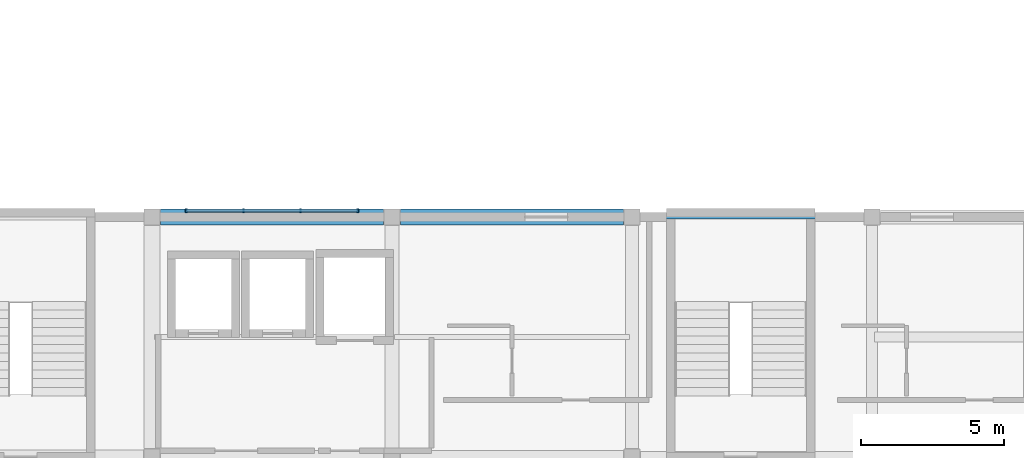
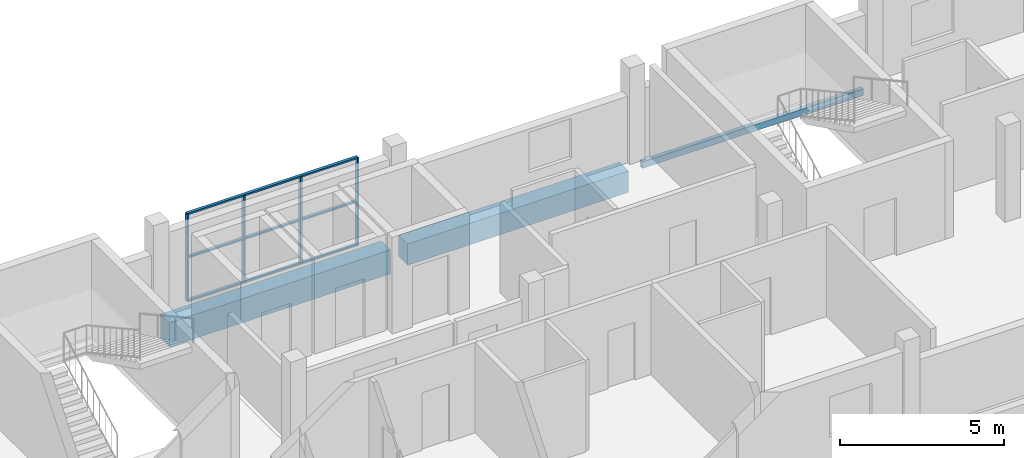
# One storey, part 4 of 26: 7 members, 3 beams, 1 element without a shape of its own.
"""IFC4 building model written with IfcOpenShell, lengths in metres."""

import ifcopenshell
import ifcopenshell.guid

model = None  # the IFC model being written
_history = None  # IfcOwnerHistory: only IFC2X3 demands one
_inside = {}  # id of a spatial element -> (the spatial element, [elements in it])
_under = {}  # id of a project, library or spatial element -> (it, [spatial elements below it])
_declared = {}  # id of a project -> (the project, [libraries it declares])
_typed = {}  # id of a type object -> (the type object, [elements of that type])
_made_of = {}  # id of a material, layer set ... -> (it, [elements and type objects made of it])


def new_model(schema):
    """Start an empty IFC model of exactly this schema.

    Asked for "IFC4X3", IfcOpenShell would pick the latest addendum, in which some entities
    have other attributes; the version numbers below select the first issue.
    IFC2X3 requires an IfcOwnerHistory on every rooted entity: one is made here for all.
    """
    global model, _history
    if schema == "IFC4X3":
        model = ifcopenshell.file(schema_version=(4, 3, 0, 0))
    else:
        model = ifcopenshell.file(schema=schema)
    _inside.clear()
    _under.clear()
    _declared.clear()
    _typed.clear()
    _made_of.clear()
    _history = None
    if model.schema == "IFC2X3":
        org = make("IfcOrganization", Name="unknown")
        user = make(
            "IfcPersonAndOrganization",
            ThePerson=make("IfcPerson", FamilyName="unknown"),
            TheOrganization=org,
        )
        app = make(
            "IfcApplication",
            ApplicationDeveloper=org,
            Version="unknown",
            ApplicationFullName="unknown",
            ApplicationIdentifier="unknown",
        )
        _history = make(
            "IfcOwnerHistory",
            OwningUser=user,
            OwningApplication=app,
            ChangeAction="ADDED",
            CreationDate=0,
        )
    return model


def make(cls, **values):
    """One entity of the class cls with the attributes given. An attribute that is None is left unset."""
    return model.create_entity(
        cls, **{name: value for name, value in values.items() if value is not None}
    )


def rooted(cls, **values):
    """An entity with a GlobalId (a new one), such as an element, a storey or a relation."""
    return make(cls, GlobalId=ifcopenshell.guid.new(), OwnerHistory=_history, **values)


def si_unit(unit_type, name, prefix=None):
    """IfcSIUnit, for example si_unit("LENGTHUNIT", "METRE", prefix="MILLI")."""
    return make("IfcSIUnit", UnitType=unit_type, Prefix=prefix, Name=name)


def derived_unit(unit_type, elements):
    """IfcDerivedUnit: a product of units, each with its exponent."""
    return make(
        "IfcDerivedUnit",
        Elements=[
            make("IfcDerivedUnitElement", Unit=unit, Exponent=power)
            for unit, power in elements
        ],
        UnitType=unit_type,
    )


def assignment(units):
    """IfcUnitAssignment: the units of a project."""
    return None if units is None else make("IfcUnitAssignment", Units=units)


def point(xyz):
    """IfcCartesianPoint."""
    return None if xyz is None else make("IfcCartesianPoint", Coordinates=xyz)


def direction(xyz):
    """IfcDirection."""
    return None if xyz is None else make("IfcDirection", DirectionRatios=xyz)


def frame(location, z_axis=None, x_axis=None):
    """IfcAxis2Placement3D, a coordinate frame: its origin and axes. An axis left out is left unset."""
    return make(
        "IfcAxis2Placement3D",
        Location=point(location),
        Axis=direction(z_axis),
        RefDirection=direction(x_axis),
    )


def frame_2d(location, x_axis=None):
    """IfcAxis2Placement2D, a coordinate frame in the plane: its origin and x axis."""
    return make(
        "IfcAxis2Placement2D", Location=point(location), RefDirection=direction(x_axis)
    )


def origin():
    """The frame at (0, 0, 0) with its axes left unset."""
    return frame((0.0, 0.0, 0.0))


def origin_2d():
    """The frame at (0, 0) in the plane with its x axis left unset."""
    return frame_2d((0.0, 0.0))


def place(relative_to, where):
    """IfcLocalPlacement: puts the frame where relative to a parent placement (None: the world)."""
    return make(
        "IfcLocalPlacement", PlacementRelTo=relative_to, RelativePlacement=where
    )


def context(
    kind, dimensions, precision=None, world=None, true_north=None, identifier=None
):
    """IfcGeometricRepresentationContext, for example the 3D "Model" context."""
    return make(
        "IfcGeometricRepresentationContext",
        ContextIdentifier=identifier,
        ContextType=kind,
        CoordinateSpaceDimension=dimensions,
        Precision=precision,
        WorldCoordinateSystem=world,
        TrueNorth=true_north,
    )


def subcontext(parent, identifier, kind, view, scale=None):
    """IfcGeometricRepresentationSubContext, for example "Body" below "Model"."""
    return make(
        "IfcGeometricRepresentationSubContext",
        ContextIdentifier=identifier,
        ContextType=kind,
        ParentContext=parent,
        TargetScale=scale,
        TargetView=view,
    )


def project(units=None, contexts=None):
    """IfcProject with its units and contexts."""
    return rooted(
        "IfcProject",
        Name="project",
        RepresentationContexts=contexts,
        UnitsInContext=assignment(units),
    )


def spatial(cls, under=None, at=None, **own):
    """A site, building, storey or space (cls), placed at a placement, below another one or the project."""
    s = rooted(cls, ObjectPlacement=at, **own)
    if under is not None:
        _under.setdefault(under.id(), (under, []))[1].append(s)
    return s


def profile(cls, at=None, kind="AREA", **sizes):
    """A parametric profile (cls). Its sizes go by their IFC names, for example OverallWidth=200.0."""
    return make(cls, ProfileType=kind, Position=at, **sizes)


def rectangle(**sizes):
    """IfcRectangleProfileDef."""
    return profile("IfcRectangleProfileDef", **sizes)


def hollow_rectangle(**sizes):
    """IfcRectangleHollowProfileDef."""
    return profile("IfcRectangleHollowProfileDef", **sizes)


def extrude(swept, where, along, depth):
    """IfcExtrudedAreaSolid: the profile swept, set in the frame where, extruded along a direction by depth."""
    return make(
        "IfcExtrudedAreaSolid",
        SweptArea=swept,
        Position=where,
        ExtrudedDirection=direction(along),
        Depth=depth,
    )


def shape(context_of_items, identifier, shape_type, items):
    """IfcShapeRepresentation: the items that make up one representation, for example the "Body"."""
    return make(
        "IfcShapeRepresentation",
        ContextOfItems=context_of_items,
        RepresentationIdentifier=identifier,
        RepresentationType=shape_type,
        Items=items,
    )


def material(Name=None, Category=None):
    """IfcMaterial."""
    return make("IfcMaterial", Name=Name, Category=Category)


def material_profile(
    of_material, cross_section, Name=None, Category=None, Priority=None
):
    """IfcMaterialProfile: a cross section and its material."""
    return make(
        "IfcMaterialProfile",
        Name=Name,
        Material=of_material,
        Profile=cross_section,
        Priority=Priority,
        Category=Category,
    )


def profile_set(profiles, Name=None, composite=None):
    """IfcMaterialProfileSet."""
    return make(
        "IfcMaterialProfileSet",
        Name=Name,
        MaterialProfiles=profiles,
        CompositeProfile=composite,
    )


def made_of(thing, what):
    """Note that an element or type object is made of a material, layer set ...; save() writes the relation."""
    if what is not None:
        _made_of.setdefault(what.id(), (what, []))[1].append(thing)
    return thing


def type_object(cls, material=None, **own):
    """A type object (cls), such as IfcWallType, which elements share."""
    return made_of(rooted(cls, **own), material)


def element(
    cls,
    number,
    at=None,
    inside=None,
    cuts=None,
    type_object=None,
    material=None,
    context=None,
    identifier="Body",
    shape_type=None,
    held_by="IfcProductDefinitionShape",
    body=None,
    shapes=None,
    **own,
):
    """One element of the class cls, such as IfcWall. Its Tag is "e" and its number.

    at: its placement. inside: the storey or other place that contains it. cuts: it is an
    opening in that element (IfcRelVoidsElement). A single representation is given by context,
    identifier, shape_type and body (its items); several are given by shapes. held_by: the class
    of the entity that holds the representations. save() writes the other relations.
    """
    e = rooted(cls, Tag="e%d" % number, ObjectPlacement=at, **own)
    if body is not None:
        shapes = [shape(context, identifier, shape_type, body)]
    if shapes is not None:
        e.Representation = make(held_by, Representations=shapes)
    if inside is not None:
        _inside.setdefault(inside.id(), (inside, []))[1].append(e)
    if cuts is not None:
        rooted(
            "IfcRelVoidsElement", RelatingBuildingElement=cuts, RelatedOpeningElement=e
        )
    if type_object is not None:
        _typed.setdefault(type_object.id(), (type_object, []))[1].append(e)
    return made_of(e, material)


def aggregate(whole, parts):
    """IfcRelAggregates: a whole, such as a stair, and the parts it consists of."""
    return rooted("IfcRelAggregates", RelatingObject=whole, RelatedObjects=parts)


def save(model, path):
    """Write the relations noted so far, then the file.

    IfcRelAggregates (storeys below a building ...), IfcRelContainedInSpatialStructure (elements
    in a storey), IfcRelDefinesByType, IfcRelAssociatesMaterial and IfcRelDeclares: one each for
    every whole, place, type object, material and project.
    """
    for whole, parts in _under.values():
        aggregate(whole, parts)
    for where, things in _inside.values():
        rooted(
            "IfcRelContainedInSpatialStructure",
            RelatedElements=things,
            RelatingStructure=where,
        )
    for kind, things in _typed.values():
        rooted("IfcRelDefinesByType", RelatedObjects=things, RelatingType=kind)
    for what, things in _made_of.values():
        rooted("IfcRelAssociatesMaterial", RelatedObjects=things, RelatingMaterial=what)
    for by, libraries in _declared.values():
        rooted("IfcRelDeclares", RelatingContext=by, RelatedDefinitions=libraries)
    model.write(path)


model = new_model("IFC4")

# Units and contexts
model_context = context("Model", 3, precision=1e-05, world=origin(), true_north=direction((0.0, 1.0)))
body_context = subcontext(model_context, "Body", "Model", "MODEL_VIEW")
ifc_project = project(units=[si_unit("LENGTHUNIT", "METRE"), si_unit("AREAUNIT", "SQUARE_METRE"), si_unit("VOLUMEUNIT", "CUBIC_METRE"), si_unit("PLANEANGLEUNIT", "RADIAN"), si_unit("MASSUNIT", "GRAM", prefix="KILO"), derived_unit("THERMALTRANSMITTANCEUNIT", [(si_unit("POWERUNIT", "WATT"), 1), (si_unit("LENGTHUNIT", "METRE"), -2), (si_unit("THERMODYNAMICTEMPERATUREUNIT", "KELVIN"), -1)])], contexts=[model_context])

# Site, building, storey
site_placement = place(None, origin())
site = spatial("IfcSite", under=ifc_project, at=site_placement, CompositionType="ELEMENT")
building_placement = place(site_placement, origin())
building = spatial("IfcBuilding", under=site, at=building_placement, Name="Barrovel Congress Hotel", CompositionType="ELEMENT")
storey_placement = place(building_placement, frame((0.0, 0.0, 32.699951171875)))
storey = spatial("IfcBuildingStorey", under=building, at=storey_placement, Name="L08", CompositionType="ELEMENT", Elevation=32.699951171875)

# Beams
ifc_material_1 = material(Name="Concrete C40", Category="concrete")
ifc_material_profile_1 = material_profile(ifc_material_1, rectangle(XDim=0.550048828125, YDim=0.800048828125, at=origin_2d()), Name="RC550x800")
ifc_profile_set_1 = profile_set([ifc_material_profile_1], Name="Concrete C40")
beam_type_1 = type_object("IfcBeamType", Name="BM-RC550x800", PredefinedType="BEAM", material=ifc_profile_set_1)
beam_1_placement = place(storey_placement, frame((92.699951171875, 21.0, -0.619873046875), z_axis=(1.0, 0.0, 0.0), x_axis=(0.0, 1.0, 0.0)))
element("IfcBeam", 1, at=beam_1_placement, inside=storey, type_object=beam_type_1, Name="BMX:L08:21.0:92.4-100.8", PredefinedType="BEAM", context=body_context, shape_type="SweptSolid", body=[
    extrude(rectangle(XDim=0.550048828125, YDim=0.800048828125, at=origin_2d()), origin(), (0.0, 0.0, 1.0), 7.800048828125),
])
ifc_material_profile_2 = material_profile(ifc_material_1, rectangle(XDim=0.550048828125, YDim=0.89990234375, at=origin_2d()), Name="RC550x900")
ifc_profile_set_2 = profile_set([ifc_material_profile_2], Name="Concrete C40")
beam_type_2 = type_object("IfcBeamType", Name="BM-RC550x900", PredefinedType="BEAM", material=ifc_profile_set_2)
beam_2_placement = place(storey_placement, frame((84.300048828125, 21.0, -0.669921875), z_axis=(1.0, 0.0, 0.0), x_axis=(0.0, 1.0, 0.0)))
element("IfcBeam", 2, at=beam_2_placement, inside=storey, type_object=beam_type_2, Name="BMX:L08:21.0:84.0-92.4", PredefinedType="BEAM", context=body_context, shape_type="SweptSolid", body=[
    extrude(rectangle(XDim=0.550048828125, YDim=0.89990234375, at=origin_2d()), origin(), (0.0, 0.0, 1.0), 7.800048828125),
])

# Curtain wall, members
ifc_material_2 = material(Name="Anodised Aluminium Alloy 6063-T6", Category="aluminium")
curtain_wall_type = type_object("IfcCurtainWallType", Name="CW-UN-6000x3200", PredefinedType="USERDEFINED", material=ifc_material_2)
curtain_wall_placement = place(storey_placement, origin())
curtain_wall = element("IfcCurtainWall", 3, at=curtain_wall_placement, inside=storey, type_object=curtain_wall_type, Name="CW:L08:UN-4", ObjectType="UNITISED CURTAIN WALL", PredefinedType="USERDEFINED")
ifc_material_profile_3 = material_profile(ifc_material_2, rectangle(XDim=0.06005859375, YDim=0.139892578125, at=origin_2d()), Name="AL-M60x140")
ifc_profile_set_3 = profile_set([ifc_material_profile_3], Name="Anodised Aluminium Alloy 6063-T6")
member_type_1 = type_object("IfcMemberType", Name="CWM-AL-M60x140", PredefinedType="MULLION", material=ifc_profile_set_3)
member_1_placement = place(storey_placement, frame((85.199951171875, 21.219970703125, 0.0), z_axis=(0.0, 0.0, 1.0), x_axis=(1.0, 0.0, 0.0)))
member_1 = element("IfcMember", 4, at=member_1_placement, type_object=member_type_1, Name="CW:L08:UN-4:M0", PredefinedType="MULLION", context=body_context, shape_type="SweptSolid", body=[
    extrude(rectangle(XDim=0.06005859375, YDim=0.139892578125, at=origin_2d()), origin(), (0.0, 0.0, 1.0), 3.25),
])
member_2_placement = place(storey_placement, frame((87.199951171875, 21.219970703125, 0.0), z_axis=(0.0, 0.0, 1.0), x_axis=(1.0, 0.0, 0.0)))
member_2 = element("IfcMember", 5, at=member_2_placement, type_object=member_type_1, Name="CW:L08:UN-4:M1", PredefinedType="MULLION", context=body_context, shape_type="SweptSolid", body=[
    extrude(rectangle(XDim=0.06005859375, YDim=0.139892578125, at=origin_2d()), origin(), (0.0, 0.0, 1.0), 3.25),
])
member_3_placement = place(storey_placement, frame((89.199951171875, 21.219970703125, 0.0), z_axis=(0.0, 0.0, 1.0), x_axis=(1.0, 0.0, 0.0)))
member_3 = element("IfcMember", 6, at=member_3_placement, type_object=member_type_1, Name="CW:L08:UN-4:M2", PredefinedType="MULLION", context=body_context, shape_type="SweptSolid", body=[
    extrude(rectangle(XDim=0.06005859375, YDim=0.139892578125, at=origin_2d()), origin(), (0.0, 0.0, 1.0), 3.25),
])
member_4_placement = place(storey_placement, frame((91.199951171875, 21.219970703125, 0.0), z_axis=(0.0, 0.0, 1.0), x_axis=(1.0, 0.0, 0.0)))
member_4 = element("IfcMember", 7, at=member_4_placement, type_object=member_type_1, Name="CW:L08:UN-4:M3", PredefinedType="MULLION", context=body_context, shape_type="SweptSolid", body=[
    extrude(rectangle(XDim=0.06005859375, YDim=0.139892578125, at=origin_2d()), origin(), (0.0, 0.0, 1.0), 3.25),
])
ifc_material_profile_4 = material_profile(ifc_material_2, rectangle(XDim=0.10498046875, YDim=0.06005859375, at=origin_2d()), Name="AL-T60x105")
ifc_profile_set_4 = profile_set([ifc_material_profile_4], Name="Anodised Aluminium Alloy 6063-T6")
member_type_2 = type_object("IfcMemberType", Name="CWT-AL-T60x105", PredefinedType="USERDEFINED", material=ifc_profile_set_4)
member_5_placement = place(storey_placement, frame((85.199951171875, 21.219970703125, 0.0), z_axis=(1.0, 0.0, 0.0), x_axis=(0.0, 1.0, 0.0)))
member_5 = element("IfcMember", 8, at=member_5_placement, type_object=member_type_2, Name="CW:L08:UN-4:T0", ObjectType="TRANSOM", PredefinedType="USERDEFINED", context=body_context, shape_type="SweptSolid", body=[
    extrude(rectangle(XDim=0.10498046875, YDim=0.06005859375, at=origin_2d()), origin(), (0.0, 0.0, 1.0), 6.0),
])
member_6_placement = place(storey_placement, frame((85.199951171875, 21.219970703125, 1.625), z_axis=(1.0, 0.0, 0.0), x_axis=(0.0, 1.0, 0.0)))
member_6 = element("IfcMember", 9, at=member_6_placement, type_object=member_type_2, Name="CW:L08:UN-4:T1", ObjectType="TRANSOM", PredefinedType="USERDEFINED", context=body_context, shape_type="SweptSolid", body=[
    extrude(rectangle(XDim=0.10498046875, YDim=0.06005859375, at=origin_2d()), origin(), (0.0, 0.0, 1.0), 6.0),
])
member_7_placement = place(storey_placement, frame((85.199951171875, 21.219970703125, 3.25), z_axis=(1.0, 0.0, 0.0), x_axis=(0.0, 1.0, 0.0)))
member_7 = element("IfcMember", 10, at=member_7_placement, type_object=member_type_2, Name="CW:L08:UN-4:T2", ObjectType="TRANSOM", PredefinedType="USERDEFINED", context=body_context, shape_type="SweptSolid", body=[
    extrude(rectangle(XDim=0.10498046875, YDim=0.06005859375, at=origin_2d()), origin(), (0.0, 0.0, 1.0), 6.0),
])
aggregate(curtain_wall, [member_1, member_2, member_3, member_4, member_5, member_6, member_7])

# Beam
ifc_material_3 = material(Name="Steel ASTM A500 Grade C", Category="steel")
ifc_material_profile_5 = material_profile(ifc_material_3, hollow_rectangle(XDim=0.15234375, YDim=0.25390625, WallThickness=0.0087890625, InnerFilletRadius=0.0087890625, OuterFilletRadius=0.017578125, at=origin_2d()), Name="HSS254x152x9.5")
ifc_profile_set_5 = profile_set([ifc_material_profile_5], Name="Steel ASTM A500 Grade C")
beam_type_3 = type_object("IfcBeamType", Name="SBM-HSS254x152x9.5", PredefinedType="SPANDREL", material=ifc_profile_set_5)
beam_3_placement = place(storey_placement, frame((101.10009765625, 21.0, -0.346923828125), z_axis=(1.0, 0.0, 0.0), x_axis=(0.0, 1.0, 0.0)))
element("IfcBeam", 11, at=beam_3_placement, inside=storey, type_object=beam_type_3, Name="BMX:L08:21.0:100.8-109.2", PredefinedType="SPANDREL", context=body_context, shape_type="SweptSolid", body=[
    extrude(hollow_rectangle(XDim=0.15234375, YDim=0.25390625, WallThickness=0.0087890625, InnerFilletRadius=0.0087890625, OuterFilletRadius=0.017578125, at=origin_2d()), origin(), (0.0, 0.0, 1.0), 7.7998046875),
])

save(model, "model.ifc")
